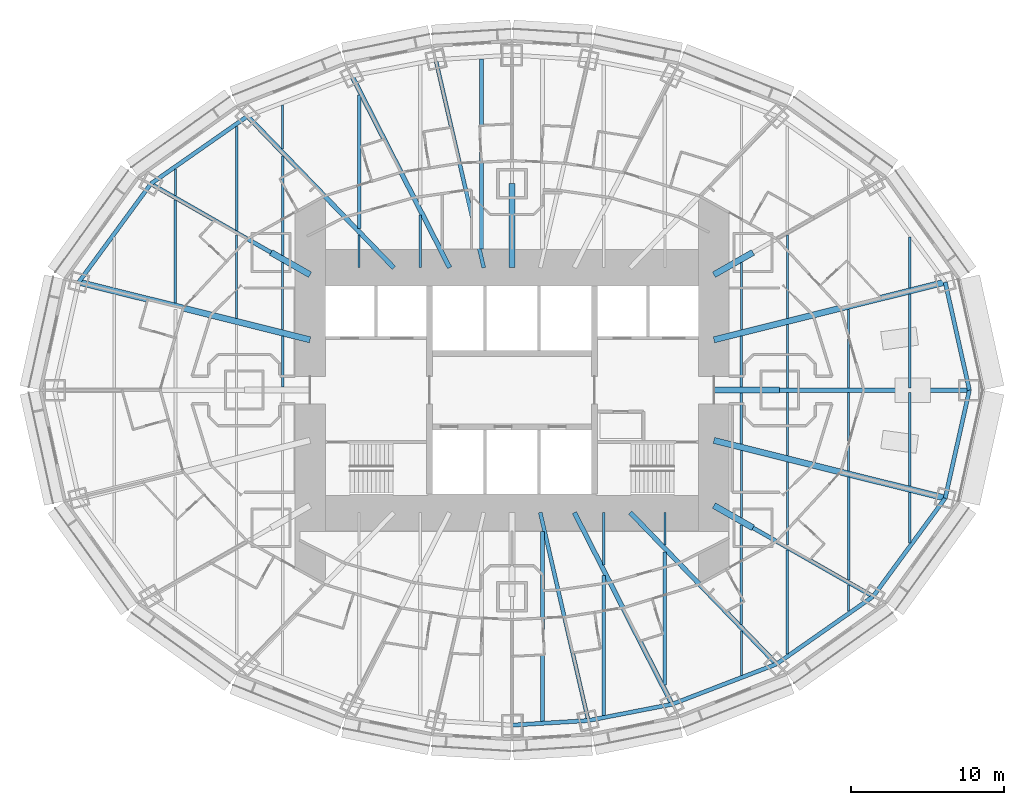
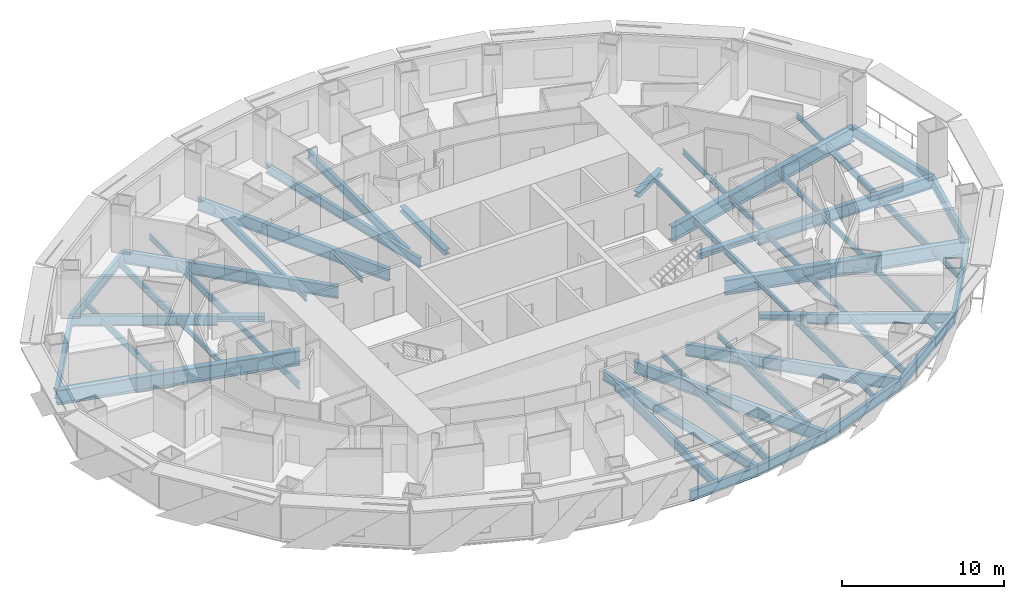
# One storey, part 2 of 17: 62 beams.
"""IFC4 building model written with IfcOpenShell, lengths in metres."""

from ifc_helpers import new_model, si_unit, direction, frame, origin, origin_2d, place, context, subcontext, project, spatial, i_section, extrude, material, material_profile, profile_set, type_object, element, save


model = new_model("IFC4")

# Units and contexts
model_context = context("Model", 3, precision=1e-05, world=origin(), true_north=direction((0.0, 1.0)))
body_context = subcontext(model_context, "Body", "Model", "MODEL_VIEW")
ifc_project = project(units=[si_unit("LENGTHUNIT", "METRE"), si_unit("AREAUNIT", "SQUARE_METRE"), si_unit("VOLUMEUNIT", "CUBIC_METRE"), si_unit("PLANEANGLEUNIT", "RADIAN"), si_unit("MASSUNIT", "GRAM", prefix="KILO")], contexts=[model_context])

# Site, building, storey
site_placement = place(None, origin())
site = spatial("IfcSite", under=ifc_project, at=site_placement, CompositionType="ELEMENT")
building_placement = place(site_placement, origin())
building = spatial("IfcBuilding", under=site, at=building_placement, Name="Lantaw Convention Tower", CompositionType="ELEMENT")
storey_placement = place(building_placement, frame((0.0, 0.0, 69.39990234375)))
storey = spatial("IfcBuildingStorey", under=building, at=storey_placement, Name="L15", CompositionType="ELEMENT", Elevation=69.39990234375)

# Beams
ifc_material = material(Name="Steel ASTM A992", Category="steel")
ifc_material_profile_1 = material_profile(ifc_material, i_section(OverallWidth=0.2666015625, OverallDepth=0.76953125, WebThickness=0.015625, FlangeThickness=0.025390625, FilletRadius=0.0126953125, at=origin_2d()), Name="W30X132")
ifc_profile_set_1 = profile_set([ifc_material_profile_1], Name="Steel ASTM A992")
beam_type_1 = type_object("IfcBeamType", Name="Beam E W30X132", PredefinedType="SPANDREL", material=ifc_profile_set_1)
beam_1_placement = place(storey_placement, frame((29.89990234375, 0.0, -0.53466796875), z_axis=(-0.218652184873, 0.975802860239, 0.0), x_axis=(-0.975802860239, -0.218652184873, 0.0)))
element("IfcBeam", 1, at=beam_1_placement, inside=storey, type_object=beam_type_1, Name="Edge beam 1", PredefinedType="SPANDREL", context=body_context, shape_type="SweptSolid", body=[
    extrude(i_section(OverallWidth=0.2666015625, OverallDepth=0.76953125, WebThickness=0.015625, FlangeThickness=0.025390625, FilletRadius=0.0126953125, at=origin_2d()), origin(), (0.0, 0.0, 1.0), 7.2353515625),
])
beam_2_placement = place(storey_placement, frame((-17.290771484375, 17.9052734375, -0.53466796875), z_axis=(-0.81942686407, -0.57318375277, 0.0), x_axis=(0.57318375277, -0.81942686407, 0.0)))
element("IfcBeam", 2, at=beam_2_placement, inside=storey, type_object=beam_type_1, Name="Edge beam 10", PredefinedType="SPANDREL", context=body_context, shape_type="SweptSolid", body=[
    extrude(i_section(OverallWidth=0.2666015625, OverallDepth=0.76953125, WebThickness=0.015625, FlangeThickness=0.025390625, FilletRadius=0.0126953125, at=origin_2d()), origin(), (0.0, 0.0, 1.0), 7.70556640625),
])
beam_3_placement = place(storey_placement, frame((-23.60498046875, 13.488525390625, -0.53466796875), z_axis=(-0.591270709086, -0.806473154281, 0.0), x_axis=(0.806473154281, -0.591270709086, 0.0)))
element("IfcBeam", 3, at=beam_3_placement, inside=storey, type_object=beam_type_1, Name="Edge beam 11", PredefinedType="SPANDREL", context=body_context, shape_type="SweptSolid", body=[
    extrude(i_section(OverallWidth=0.2666015625, OverallDepth=0.76953125, WebThickness=0.015625, FlangeThickness=0.025390625, FilletRadius=0.0126953125, at=origin_2d()), origin(), (0.0, 0.0, 1.0), 7.970703125),
])
beam_4_placement = place(storey_placement, frame((0.0, -21.89990234375, -0.53466796875), z_axis=(0.998173858406, 0.060406526096, 0.0), x_axis=(-0.060406526096, 0.998173858406, 0.0)))
element("IfcBeam", 4, at=beam_4_placement, inside=storey, type_object=beam_type_1, Name="Edge beam 19", PredefinedType="SPANDREL", context=body_context, shape_type="SweptSolid", body=[
    extrude(i_section(OverallWidth=0.2666015625, OverallDepth=0.76953125, WebThickness=0.015625, FlangeThickness=0.025390625, FilletRadius=0.0126953125, at=origin_2d()), origin(), (0.0, 0.0, 1.0), 4.995361328125),
])
beam_5_placement = place(storey_placement, frame((4.986328125, -21.59814453125, -0.53466796875), z_axis=(0.981636565323, 0.190760723474, 0.0), x_axis=(-0.190760723474, 0.981636565323, 0.0)))
element("IfcBeam", 5, at=beam_5_placement, inside=storey, type_object=beam_type_1, Name="Edge beam 20", PredefinedType="SPANDREL", context=body_context, shape_type="SweptSolid", body=[
    extrude(i_section(OverallWidth=0.2666015625, OverallDepth=0.76953125, WebThickness=0.015625, FlangeThickness=0.025390625, FilletRadius=0.0126953125, at=origin_2d()), origin(), (0.0, 0.0, 1.0), 5.578857421875),
])
beam_6_placement = place(storey_placement, frame((10.462646484375, -20.533935546875, -0.53466796875), z_axis=(0.933232900641, 0.359271976588, 0.0), x_axis=(-0.359271976588, 0.933232900641, 0.0)))
element("IfcBeam", 6, at=beam_6_placement, inside=storey, type_object=beam_type_1, Name="Edge beam 21", PredefinedType="SPANDREL", context=body_context, shape_type="SweptSolid", body=[
    extrude(i_section(OverallWidth=0.2666015625, OverallDepth=0.76953125, WebThickness=0.015625, FlangeThickness=0.025390625, FilletRadius=0.0126953125, at=origin_2d()), origin(), (0.0, 0.0, 1.0), 7.316650390625),
])
beam_7_placement = place(storey_placement, frame((17.290771484375, -17.9052734375, -0.53466796875), z_axis=(0.81942686407, 0.57318375277, 0.0), x_axis=(-0.57318375277, 0.81942686407, 0.0)))
element("IfcBeam", 7, at=beam_7_placement, inside=storey, type_object=beam_type_1, Name="Edge beam 22", PredefinedType="SPANDREL", context=body_context, shape_type="SweptSolid", body=[
    extrude(i_section(OverallWidth=0.2666015625, OverallDepth=0.76953125, WebThickness=0.015625, FlangeThickness=0.025390625, FilletRadius=0.0126953125, at=origin_2d()), origin(), (0.0, 0.0, 1.0), 7.70556640625),
])
beam_8_placement = place(storey_placement, frame((23.60498046875, -13.488525390625, -0.53466796875), z_axis=(0.591270709086, 0.806473154281, 0.0), x_axis=(-0.806473154281, 0.591270709086, 0.0)))
element("IfcBeam", 8, at=beam_8_placement, inside=storey, type_object=beam_type_1, Name="Edge beam 23", PredefinedType="SPANDREL", context=body_context, shape_type="SweptSolid", body=[
    extrude(i_section(OverallWidth=0.2666015625, OverallDepth=0.76953125, WebThickness=0.015625, FlangeThickness=0.025390625, FilletRadius=0.0126953125, at=origin_2d()), origin(), (0.0, 0.0, 1.0), 7.970703125),
])
beam_9_placement = place(storey_placement, frame((28.31787109375, -7.060302734375, -0.53466796875), z_axis=(0.218652184873, 0.975802860239, 0.0), x_axis=(-0.975802860239, 0.218652184873, 0.0)))
element("IfcBeam", 9, at=beam_9_placement, inside=storey, type_object=beam_type_1, Name="Edge beam 24", PredefinedType="SPANDREL", context=body_context, shape_type="SweptSolid", body=[
    extrude(i_section(OverallWidth=0.2666015625, OverallDepth=0.76953125, WebThickness=0.015625, FlangeThickness=0.025390625, FilletRadius=0.0126953125, at=origin_2d()), origin(), (0.0, 0.0, 1.0), 7.2353515625),
])
ifc_material_profile_2 = material_profile(ifc_material, i_section(OverallWidth=0.25390625, OverallDepth=0.683349609375, WebThickness=0.012451171875, FlangeThickness=0.01904296875, FilletRadius=0.01513671875, at=origin_2d()), Name="W27X94")
ifc_profile_set_2 = profile_set([ifc_material_profile_2], Name="Steel ASTM A992")
beam_type_2 = type_object("IfcBeamType", Name="Beam G W27X94", PredefinedType="BEAM", material=ifc_profile_set_2)
for number, where, z_axis, x_axis, name in (
    (10, (-1.846923828125, 8.0, -0.491455078125), (-0.224952773175, 0.97436966796, 0.0), (-0.97436966796, -0.224952773175, 0.0), "Floor girder on ray 8"),
    (11, (1.846923828125, -8.0, -0.491455078125), (0.224952773175, -0.97436966796, 0.0), (0.97436966796, 0.224952773175, 0.0), "Floor girder on ray 20"),
):
    element("IfcBeam", number, at=place(storey_placement, frame(where, z_axis=z_axis, x_axis=x_axis)), inside=storey, type_object=beam_type_2, Name=name, PredefinedType="BEAM", context=body_context, shape_type="SweptSolid", body=[
        extrude(i_section(OverallWidth=0.25390625, OverallDepth=0.683349609375, WebThickness=0.012451171875, FlangeThickness=0.01904296875, FilletRadius=0.01513671875, at=origin_2d()), origin(), (0.0, 0.0, 1.0), 13.955810546875),
    ])
ifc_material_profile_3 = material_profile(ifc_material, i_section(OverallWidth=0.2666015625, OverallDepth=0.7568359375, WebThickness=0.013916015625, FlangeThickness=0.019287109375, FilletRadius=0.0126953125, at=origin_2d()), Name="W30X108")
ifc_profile_set_3 = profile_set([ifc_material_profile_3], Name="Steel ASTM A992")
beam_type_3 = type_object("IfcBeamType", Name="Beam G W30X108", PredefinedType="BEAM", material=ifc_profile_set_3)
for number, where, z_axis, x_axis, name in (
    (12, (-15.75, 9.0, -0.5283203125), (-0.868244802791, 0.496136032179, 0.0), (-0.496136032179, -0.868244802791, 0.0), "Floor girder on ray 11"),
    (13, (15.75, -9.0, -0.5283203125), (0.868244802791, -0.496136032179, 0.0), (0.496136032179, 0.868244802791, 0.0), "Floor girder on ray 23"),
):
    element("IfcBeam", number, at=place(storey_placement, frame(where, z_axis=z_axis, x_axis=x_axis)), inside=storey, type_object=beam_type_3, Name=name, PredefinedType="BEAM", context=body_context, shape_type="SweptSolid", body=[
        extrude(i_section(OverallWidth=0.2666015625, OverallDepth=0.7568359375, WebThickness=0.013916015625, FlangeThickness=0.019287109375, FilletRadius=0.0126953125, at=origin_2d()), origin(), (0.0, 0.0, 1.0), 9.046875),
    ])
ifc_material_profile_4 = material_profile(ifc_material, i_section(OverallWidth=0.307373046875, OverallDepth=0.922119140625, WebThickness=0.018310546875, FlangeThickness=0.030029296875, FilletRadius=0.0126953125, at=origin_2d()), Name="W36X182")
ifc_profile_set_4 = profile_set([ifc_material_profile_4], Name="Steel ASTM A992")
beam_type_4 = type_object("IfcBeamType", Name="Beam G W36X182", PredefinedType="BEAM", material=ifc_profile_set_4)
beam_10_placement = place(storey_placement, frame((17.5, 0.0, -0.61083984375), z_axis=(1.0, 0.0, 0.0), x_axis=(0.0, 1.0, 0.0)))
element("IfcBeam", 14, at=beam_10_placement, inside=storey, type_object=beam_type_4, Name="Floor girder on ray 1", PredefinedType="BEAM", context=body_context, shape_type="SweptSolid", body=[
    extrude(i_section(OverallWidth=0.307373046875, OverallDepth=0.922119140625, WebThickness=0.018310546875, FlangeThickness=0.030029296875, FilletRadius=0.0126953125, at=origin_2d()), origin(), (0.0, 0.0, 1.0), 12.39990234375),
])
beam_11_placement = place(storey_placement, frame((-4.076171875, 8.0, -0.61083984375), z_axis=(-0.453997016122, 0.891003203896, 0.0), x_axis=(-0.891003203896, -0.453997016122, 0.0)))
element("IfcBeam", 15, at=beam_11_placement, inside=storey, type_object=beam_type_4, Name="Floor girder on ray 9", PredefinedType="BEAM", context=body_context, shape_type="SweptSolid", body=[
    extrude(i_section(OverallWidth=0.307373046875, OverallDepth=0.922119140625, WebThickness=0.018310546875, FlangeThickness=0.030029296875, FilletRadius=0.0126953125, at=origin_2d()), origin(), (0.0, 0.0, 1.0), 14.067138671875),
])
beam_12_placement = place(storey_placement, frame((-7.7255859375, 8.0, -0.61083984375), z_axis=(-0.694649884291, 0.719347995239, 0.0), x_axis=(-0.719347995239, -0.694649884291, 0.0)))
element("IfcBeam", 16, at=beam_12_placement, inside=storey, type_object=beam_type_4, Name="Floor girder on ray 10", PredefinedType="BEAM", context=body_context, shape_type="SweptSolid", body=[
    extrude(i_section(OverallWidth=0.307373046875, OverallDepth=0.922119140625, WebThickness=0.018310546875, FlangeThickness=0.030029296875, FilletRadius=0.0126953125, at=origin_2d()), origin(), (0.0, 0.0, 1.0), 13.769775390625),
])
beam_13_placement = place(storey_placement, frame((4.076171875, -8.0, -0.61083984375), z_axis=(0.453997016122, -0.891003203896, 0.0), x_axis=(0.891003203896, 0.453997016122, 0.0)))
element("IfcBeam", 17, at=beam_13_placement, inside=storey, type_object=beam_type_4, Name="Floor girder on ray 21", PredefinedType="BEAM", context=body_context, shape_type="SweptSolid", body=[
    extrude(i_section(OverallWidth=0.307373046875, OverallDepth=0.922119140625, WebThickness=0.018310546875, FlangeThickness=0.030029296875, FilletRadius=0.0126953125, at=origin_2d()), origin(), (0.0, 0.0, 1.0), 14.067138671875),
])
beam_14_placement = place(storey_placement, frame((7.7255859375, -8.0, -0.61083984375), z_axis=(0.694649884291, -0.719347995239, 0.0), x_axis=(0.719347995239, 0.694649884291, 0.0)))
element("IfcBeam", 18, at=beam_14_placement, inside=storey, type_object=beam_type_4, Name="Floor girder on ray 22", PredefinedType="BEAM", context=body_context, shape_type="SweptSolid", body=[
    extrude(i_section(OverallWidth=0.307373046875, OverallDepth=0.922119140625, WebThickness=0.018310546875, FlangeThickness=0.030029296875, FilletRadius=0.0126953125, at=origin_2d()), origin(), (0.0, 0.0, 1.0), 13.769775390625),
])
ifc_material_profile_5 = material_profile(ifc_material, i_section(OverallWidth=0.40380859375, OverallDepth=1.11767578125, WebThickness=0.026123046875, FlangeThickness=0.044921875, FilletRadius=0.02001953125, at=origin_2d()), Name="W44X335")
ifc_profile_set_5 = profile_set([ifc_material_profile_5], Name="Steel ASTM A992")
beam_type_5 = type_object("IfcBeamType", Name="Beam G W44X335", PredefinedType="BEAM", material=ifc_profile_set_5)
for number, where, z_axis, x_axis, name in (
    (19, (13.199951171875, 3.291015625, -0.708740234375), (0.970296233567, 0.241919860957, 0.0), (-0.241919860957, 0.970296233567, 0.0), "Floor girder on ray 2"),
    (20, (-13.199951171875, 3.291015625, -0.708740234375), (-0.970296233567, 0.241919860957, 0.0), (-0.241919860957, -0.970296233567, 0.0), "Floor girder on ray 12"),
    (21, (13.199951171875, -3.291015625, -0.708740234375), (0.970296233567, -0.241919860957, 0.0), (0.241919860957, 0.970296233567, 0.0), "Floor girder on ray 24"),
):
    element("IfcBeam", number, at=place(storey_placement, frame(where, z_axis=z_axis, x_axis=x_axis)), inside=storey, type_object=beam_type_5, Name=name, PredefinedType="BEAM", context=body_context, shape_type="SweptSolid", body=[
        extrude(i_section(OverallWidth=0.40380859375, OverallDepth=1.11767578125, WebThickness=0.026123046875, FlangeThickness=0.044921875, FilletRadius=0.02001953125, at=origin_2d()), origin(), (0.0, 0.0, 1.0), 15.580810546875),
    ])
ifc_material_profile_6 = material_profile(ifc_material, i_section(OverallWidth=0.40380859375, OverallDepth=0.406494140625, WebThickness=0.027099609375, FlangeThickness=0.043701171875, FilletRadius=0.01513671875, at=origin_2d()), Name="W14X233")
ifc_profile_set_6 = profile_set([ifc_material_profile_6], Name="Steel ASTM A992")
beam_type_6 = type_object("IfcBeamType", Name="Beam GM W14X233", PredefinedType="BEAM", material=ifc_profile_set_6)
beam_15_placement = place(storey_placement, frame((13.199951171875, 0.0, -0.35302734375), z_axis=(1.0, 0.0, 0.0), x_axis=(0.0, 1.0, 0.0)))
element("IfcBeam", 22, at=beam_15_placement, inside=storey, type_object=beam_type_6, Name="Core link beam on ray 1", PredefinedType="BEAM", context=body_context, shape_type="SweptSolid", body=[
    extrude(i_section(OverallWidth=0.40380859375, OverallDepth=0.406494140625, WebThickness=0.027099609375, FlangeThickness=0.043701171875, FilletRadius=0.01513671875, at=origin_2d()), origin(), (0.0, 0.0, 1.0), 4.300048828125),
])
beam_16_placement = place(storey_placement, frame((13.199951171875, 7.54296875, -0.35302734375), z_axis=(0.868263603466, 0.496103129295, 0.0), x_axis=(-0.496103129295, 0.868263603466, 0.0)))
element("IfcBeam", 23, at=beam_16_placement, inside=storey, type_object=beam_type_6, Name="Core link beam on ray 3", PredefinedType="BEAM", context=body_context, shape_type="SweptSolid", body=[
    extrude(i_section(OverallWidth=0.40380859375, OverallDepth=0.406494140625, WebThickness=0.027099609375, FlangeThickness=0.043701171875, FilletRadius=0.01513671875, at=origin_2d()), origin(), (0.0, 0.0, 1.0), 2.93701171875),
])
beam_17_placement = place(storey_placement, frame((0.0, 8.0, -0.35302734375), z_axis=(0.0, 1.0, 0.0), x_axis=(-1.0, 0.0, 0.0)))
element("IfcBeam", 24, at=beam_17_placement, inside=storey, type_object=beam_type_6, Name="Core link beam on ray 7", PredefinedType="BEAM", context=body_context, shape_type="SweptSolid", body=[
    extrude(i_section(OverallWidth=0.40380859375, OverallDepth=0.406494140625, WebThickness=0.027099609375, FlangeThickness=0.043701171875, FilletRadius=0.01513671875, at=origin_2d()), origin(), (0.0, 0.0, 1.0), 5.5),
])
for number, where, z_axis, x_axis, name in (
    (25, (-13.199951171875, 7.54296875, -0.35302734375), (-0.868263603466, 0.496103129295, 0.0), (-0.496103129295, -0.868263603466, 0.0), "Core link beam on ray 11"),
    (26, (13.199951171875, -7.54296875, -0.35302734375), (0.868263603466, -0.496103129295, 0.0), (0.496103129295, 0.868263603466, 0.0), "Core link beam on ray 23"),
):
    element("IfcBeam", number, at=place(storey_placement, frame(where, z_axis=z_axis, x_axis=x_axis)), inside=storey, type_object=beam_type_6, Name=name, PredefinedType="BEAM", context=body_context, shape_type="SweptSolid", body=[
        extrude(i_section(OverallWidth=0.40380859375, OverallDepth=0.406494140625, WebThickness=0.027099609375, FlangeThickness=0.043701171875, FilletRadius=0.01513671875, at=origin_2d()), origin(), (0.0, 0.0, 1.0), 2.93701171875),
    ])
ifc_material_profile_7 = material_profile(ifc_material, i_section(OverallWidth=0.140380859375, OverallDepth=0.40380859375, WebThickness=0.007080078125, FlangeThickness=0.01123046875, FilletRadius=0.01025390625, at=origin_2d()), Name="W16X31")
ifc_profile_set_7 = profile_set([ifc_material_profile_7], Name="Steel ASTM A992")
beam_type_7 = type_object("IfcBeamType", Name="Beam J W16X31", PredefinedType="JOIST", material=ifc_profile_set_7)
beam_18_placement = place(storey_placement, frame((-22.0, 12.72509765625, -0.351806640625), z_axis=(0.0, 1.0, 0.0), x_axis=(-1.0, 0.0, 0.0)))
element("IfcBeam", 27, at=beam_18_placement, inside=storey, type_object=beam_type_7, Name="Floor joist", PredefinedType="JOIST", context=body_context, shape_type="SweptSolid", body=[
    extrude(i_section(OverallWidth=0.140380859375, OverallDepth=0.40380859375, WebThickness=0.007080078125, FlangeThickness=0.01123046875, FilletRadius=0.01025390625, at=origin_2d()), origin(), (0.0, 0.0, 1.0), 1.723388671875),
])
beam_19_placement = place(storey_placement, frame((-18.0, 4.696044921875, -0.351806640625), z_axis=(0.0, 1.0, 0.0), x_axis=(-1.0, 0.0, 0.0)))
element("IfcBeam", 28, at=beam_19_placement, inside=storey, type_object=beam_type_7, Name="Floor joist", PredefinedType="JOIST", context=body_context, shape_type="SweptSolid", body=[
    extrude(i_section(OverallWidth=0.140380859375, OverallDepth=0.40380859375, WebThickness=0.007080078125, FlangeThickness=0.01123046875, FilletRadius=0.01025390625, at=origin_2d()), origin(), (0.0, 0.0, 1.0), 5.43603515625),
])
beam_20_placement = place(storey_placement, frame((-15.0, 3.947998046875, -0.351806640625), z_axis=(0.0, 1.0, 0.0), x_axis=(-1.0, 0.0, 0.0)))
element("IfcBeam", 29, at=beam_20_placement, inside=storey, type_object=beam_type_7, Name="Floor joist", PredefinedType="JOIST", context=body_context, shape_type="SweptSolid", body=[
    extrude(i_section(OverallWidth=0.140380859375, OverallDepth=0.40380859375, WebThickness=0.007080078125, FlangeThickness=0.01123046875, FilletRadius=0.01025390625, at=origin_2d()), origin(), (0.0, 0.0, 1.0), 4.390869140625),
])
beam_21_placement = place(storey_placement, frame((-15.0, 15.754150390625, -0.351806640625), z_axis=(0.0, 1.0, 0.0), x_axis=(-1.0, 0.0, 0.0)))
element("IfcBeam", 30, at=beam_21_placement, inside=storey, type_object=beam_type_7, Name="Floor joist", PredefinedType="JOIST", context=body_context, shape_type="SweptSolid", body=[
    extrude(i_section(OverallWidth=0.140380859375, OverallDepth=0.40380859375, WebThickness=0.007080078125, FlangeThickness=0.01123046875, FilletRadius=0.01025390625, at=origin_2d()), origin(), (0.0, 0.0, 1.0), 2.89013671875),
])
beam_22_placement = place(storey_placement, frame((-10.0, 8.0, -0.351806640625), z_axis=(0.0, 1.0, 0.0), x_axis=(-1.0, 0.0, 0.0)))
element("IfcBeam", 31, at=beam_22_placement, inside=storey, type_object=beam_type_7, Name="Floor joist", PredefinedType="JOIST", context=body_context, shape_type="SweptSolid", body=[
    extrude(i_section(OverallWidth=0.140380859375, OverallDepth=0.40380859375, WebThickness=0.007080078125, FlangeThickness=0.01123046875, FilletRadius=0.01025390625, at=origin_2d()), origin(), (0.0, 0.0, 1.0), 2.134033203125),
])
for number, where, z_axis, x_axis, name in (
    (32, (-6.0, 8.0, -0.351806640625), (0.0, 1.0, 0.0), (-1.0, 0.0, 0.0), "Floor joist"),
    (33, (6.0, -11.437255859375, -0.351806640625), (0.0, 1.0, 0.0), (-1.0, 0.0, 0.0), "Floor joist"),
):
    element("IfcBeam", number, at=place(storey_placement, frame(where, z_axis=z_axis, x_axis=x_axis)), inside=storey, type_object=beam_type_7, Name=name, PredefinedType="JOIST", context=body_context, shape_type="SweptSolid", body=[
        extrude(i_section(OverallWidth=0.140380859375, OverallDepth=0.40380859375, WebThickness=0.007080078125, FlangeThickness=0.01123046875, FilletRadius=0.01025390625, at=origin_2d()), origin(), (0.0, 0.0, 1.0), 3.437255859375),
    ])
beam_23_placement = place(storey_placement, frame((10.0, -10.134033203125, -0.351806640625), z_axis=(0.0, 1.0, 0.0), x_axis=(-1.0, 0.0, 0.0)))
element("IfcBeam", 34, at=beam_23_placement, inside=storey, type_object=beam_type_7, Name="Floor joist", PredefinedType="JOIST", context=body_context, shape_type="SweptSolid", body=[
    extrude(i_section(OverallWidth=0.140380859375, OverallDepth=0.40380859375, WebThickness=0.007080078125, FlangeThickness=0.01123046875, FilletRadius=0.01025390625, at=origin_2d()), origin(), (0.0, 0.0, 1.0), 2.134033203125),
])
beam_24_placement = place(storey_placement, frame((15.0, -18.644287109375, -0.351806640625), z_axis=(0.0, 1.0, 0.0), x_axis=(-1.0, 0.0, 0.0)))
element("IfcBeam", 35, at=beam_24_placement, inside=storey, type_object=beam_type_7, Name="Floor joist", PredefinedType="JOIST", context=body_context, shape_type="SweptSolid", body=[
    extrude(i_section(OverallWidth=0.140380859375, OverallDepth=0.40380859375, WebThickness=0.007080078125, FlangeThickness=0.01123046875, FilletRadius=0.01025390625, at=origin_2d()), origin(), (0.0, 0.0, 1.0), 2.89013671875),
])
for number, where, z_axis, x_axis, name in (
    (36, (15.0, -8.3388671875, -0.351806640625), (0.0, 1.0, 0.0), (-1.0, 0.0, 0.0), "Floor joist"),
    (37, (15.0, 3.947998046875, -0.351806640625), (0.0, 1.0, 0.0), (-1.0, 0.0, 0.0), "Floor joist"),
):
    element("IfcBeam", number, at=place(storey_placement, frame(where, z_axis=z_axis, x_axis=x_axis)), inside=storey, type_object=beam_type_7, Name=name, PredefinedType="JOIST", context=body_context, shape_type="SweptSolid", body=[
        extrude(i_section(OverallWidth=0.140380859375, OverallDepth=0.40380859375, WebThickness=0.007080078125, FlangeThickness=0.01123046875, FilletRadius=0.01025390625, at=origin_2d()), origin(), (0.0, 0.0, 1.0), 4.390869140625),
    ])
beam_25_placement = place(storey_placement, frame((18.0, -10.132080078125, -0.351806640625), z_axis=(0.0, 1.0, 0.0), x_axis=(-1.0, 0.0, 0.0)))
element("IfcBeam", 38, at=beam_25_placement, inside=storey, type_object=beam_type_7, Name="Floor joist", PredefinedType="JOIST", context=body_context, shape_type="SweptSolid", body=[
    extrude(i_section(OverallWidth=0.140380859375, OverallDepth=0.40380859375, WebThickness=0.007080078125, FlangeThickness=0.01123046875, FilletRadius=0.01025390625, at=origin_2d()), origin(), (0.0, 0.0, 1.0), 5.43603515625),
])
for number, where, z_axis, x_axis, name in (
    (39, (18.0, -4.27978515625, -0.351806640625), (0.0, 1.0, 0.0), (-1.0, 0.0, 0.0), "Floor joist"),
    (40, (18.0, 0.153564453125, -0.351806640625), (0.0, 1.0, 0.0), (-1.0, 0.0, 0.0), "Floor joist"),
):
    element("IfcBeam", number, at=place(storey_placement, frame(where, z_axis=z_axis, x_axis=x_axis)), inside=storey, type_object=beam_type_7, Name=name, PredefinedType="JOIST", context=body_context, shape_type="SweptSolid", body=[
        extrude(i_section(OverallWidth=0.140380859375, OverallDepth=0.40380859375, WebThickness=0.007080078125, FlangeThickness=0.01123046875, FilletRadius=0.01025390625, at=origin_2d()), origin(), (0.0, 0.0, 1.0), 4.126220703125),
    ])
beam_26_placement = place(storey_placement, frame((18.0, 4.696044921875, -0.351806640625), z_axis=(0.0, 1.0, 0.0), x_axis=(-1.0, 0.0, 0.0)))
element("IfcBeam", 41, at=beam_26_placement, inside=storey, type_object=beam_type_7, Name="Floor joist", PredefinedType="JOIST", context=body_context, shape_type="SweptSolid", body=[
    extrude(i_section(OverallWidth=0.140380859375, OverallDepth=0.40380859375, WebThickness=0.007080078125, FlangeThickness=0.01123046875, FilletRadius=0.01025390625, at=origin_2d()), origin(), (0.0, 0.0, 1.0), 5.43603515625),
])
beam_27_placement = place(storey_placement, frame((22.0, -14.448486328125, -0.351806640625), z_axis=(0.0, 1.0, 0.0), x_axis=(-1.0, 0.0, 0.0)))
element("IfcBeam", 42, at=beam_27_placement, inside=storey, type_object=beam_type_7, Name="Floor joist", PredefinedType="JOIST", context=body_context, shape_type="SweptSolid", body=[
    extrude(i_section(OverallWidth=0.140380859375, OverallDepth=0.40380859375, WebThickness=0.007080078125, FlangeThickness=0.01123046875, FilletRadius=0.01025390625, at=origin_2d()), origin(), (0.0, 0.0, 1.0), 1.723388671875),
])
for number, where, z_axis, x_axis, name in (
    (43, (26.0, -9.996337890625, -0.351806640625), (0.0, 1.0, 0.0), (-1.0, 0.0, 0.0), "Floor joist"),
    (44, (26.0, 6.690673828125, -0.351806640625), (0.0, 1.0, 0.0), (-1.0, 0.0, 0.0), "Floor joist"),
):
    element("IfcBeam", number, at=place(storey_placement, frame(where, z_axis=z_axis, x_axis=x_axis)), inside=storey, type_object=beam_type_7, Name=name, PredefinedType="JOIST", context=body_context, shape_type="SweptSolid", body=[
        extrude(i_section(OverallWidth=0.140380859375, OverallDepth=0.40380859375, WebThickness=0.007080078125, FlangeThickness=0.01123046875, FilletRadius=0.01025390625, at=origin_2d()), origin(), (0.0, 0.0, 1.0), 3.3056640625),
    ])
ifc_material_profile_8 = material_profile(ifc_material, i_section(OverallWidth=0.15234375, OverallDepth=0.449462890625, WebThickness=0.007568359375, FlangeThickness=0.0107421875, FilletRadius=0.01025390625, at=origin_2d()), Name="W18X35")
ifc_profile_set_8 = profile_set([ifc_material_profile_8], Name="Steel ASTM A992")
beam_type_8 = type_object("IfcBeamType", Name="Beam J W18X35", PredefinedType="JOIST", material=ifc_profile_set_8)
for number, where, z_axis, x_axis, name in (
    (45, (22.0, -5.277099609375, -0.374755859375), (0.0, 1.0, 0.0), (-1.0, 0.0, 0.0), "Floor joist"),
    (46, (22.0, 0.153564453125, -0.374755859375), (0.0, 1.0, 0.0), (-1.0, 0.0, 0.0), "Floor joist"),
):
    element("IfcBeam", number, at=place(storey_placement, frame(where, z_axis=z_axis, x_axis=x_axis)), inside=storey, type_object=beam_type_8, Name=name, PredefinedType="JOIST", context=body_context, shape_type="SweptSolid", body=[
        extrude(i_section(OverallWidth=0.15234375, OverallDepth=0.449462890625, WebThickness=0.007568359375, FlangeThickness=0.0107421875, FilletRadius=0.01025390625, at=origin_2d()), origin(), (0.0, 0.0, 1.0), 5.12353515625),
    ])
ifc_material_profile_9 = material_profile(ifc_material, i_section(OverallWidth=0.1650390625, OverallDepth=0.52587890625, WebThickness=0.0087890625, FlangeThickness=0.011474609375, FilletRadius=0.0126953125, at=origin_2d()), Name="W21X44")
ifc_profile_set_9 = profile_set([ifc_material_profile_9], Name="Steel ASTM A992")
beam_type_9 = type_object("IfcBeamType", Name="Beam J W21X44", PredefinedType="JOIST", material=ifc_profile_set_9)
beam_28_placement = place(storey_placement, frame((-22.0, 5.693359375, -0.412841796875), z_axis=(0.0, 1.0, 0.0), x_axis=(-1.0, 0.0, 0.0)))
element("IfcBeam", 47, at=beam_28_placement, inside=storey, type_object=beam_type_9, Name="Floor joist", PredefinedType="JOIST", context=body_context, shape_type="SweptSolid", body=[
    extrude(i_section(OverallWidth=0.1650390625, OverallDepth=0.52587890625, WebThickness=0.0087890625, FlangeThickness=0.011474609375, FilletRadius=0.0126953125, at=origin_2d()), origin(), (0.0, 0.0, 1.0), 6.724609375),
])
beam_29_placement = place(storey_placement, frame((-18.0, 10.439208984375, -0.412841796875), z_axis=(0.0, 1.0, 0.0), x_axis=(-1.0, 0.0, 0.0)))
element("IfcBeam", 48, at=beam_29_placement, inside=storey, type_object=beam_type_9, Name="Floor joist", PredefinedType="JOIST", context=body_context, shape_type="SweptSolid", body=[
    extrude(i_section(OverallWidth=0.1650390625, OverallDepth=0.52587890625, WebThickness=0.0087890625, FlangeThickness=0.011474609375, FilletRadius=0.0126953125, at=origin_2d()), origin(), (0.0, 0.0, 1.0), 6.80712890625),
])
for number, where, z_axis, x_axis, name in (
    (49, (-15.0, 8.803955078125, -0.412841796875), (0.0, 1.0, 0.0), (-1.0, 0.0, 0.0), "Floor joist"),
    (50, (15.0, -15.311767578125, -0.412841796875), (0.0, 1.0, 0.0), (-1.0, 0.0, 0.0), "Floor joist"),
):
    element("IfcBeam", number, at=place(storey_placement, frame(where, z_axis=z_axis, x_axis=x_axis)), inside=storey, type_object=beam_type_9, Name=name, PredefinedType="JOIST", context=body_context, shape_type="SweptSolid", body=[
        extrude(i_section(OverallWidth=0.1650390625, OverallDepth=0.52587890625, WebThickness=0.0087890625, FlangeThickness=0.011474609375, FilletRadius=0.0126953125, at=origin_2d()), origin(), (0.0, 0.0, 1.0), 6.5078125),
    ])
beam_30_placement = place(storey_placement, frame((18.0, -17.246337890625, -0.412841796875), z_axis=(0.0, 1.0, 0.0), x_axis=(-1.0, 0.0, 0.0)))
element("IfcBeam", 51, at=beam_30_placement, inside=storey, type_object=beam_type_9, Name="Floor joist", PredefinedType="JOIST", context=body_context, shape_type="SweptSolid", body=[
    extrude(i_section(OverallWidth=0.1650390625, OverallDepth=0.52587890625, WebThickness=0.0087890625, FlangeThickness=0.011474609375, FilletRadius=0.0126953125, at=origin_2d()), origin(), (0.0, 0.0, 1.0), 6.80712890625),
])
beam_31_placement = place(storey_placement, frame((22.0, -12.41796875, -0.412841796875), z_axis=(0.0, 1.0, 0.0), x_axis=(-1.0, 0.0, 0.0)))
element("IfcBeam", 52, at=beam_31_placement, inside=storey, type_object=beam_type_9, Name="Floor joist", PredefinedType="JOIST", context=body_context, shape_type="SweptSolid", body=[
    extrude(i_section(OverallWidth=0.1650390625, OverallDepth=0.52587890625, WebThickness=0.0087890625, FlangeThickness=0.011474609375, FilletRadius=0.0126953125, at=origin_2d()), origin(), (0.0, 0.0, 1.0), 6.724609375),
])
ifc_material_profile_10 = material_profile(ifc_material, i_section(OverallWidth=0.165771484375, OverallDepth=0.5283203125, WebThickness=0.009765625, FlangeThickness=0.013671875, FilletRadius=0.012939453125, at=origin_2d()), Name="W21X50")
ifc_profile_set_10 = profile_set([ifc_material_profile_10], Name="Steel ASTM A992")
beam_type_10 = type_object("IfcBeamType", Name="Beam J W21X50", PredefinedType="JOIST", material=ifc_profile_set_10)
for number, where, z_axis, x_axis, name in (
    (53, (-15.0, 0.201904296875, -0.4140625), (0.0, 1.0, 0.0), (-1.0, 0.0, 0.0), "Floor joist"),
    (54, (15.0, -3.53173828125, -0.4140625), (0.0, 1.0, 0.0), (-1.0, 0.0, 0.0), "Floor joist"),
    (55, (15.0, 0.201904296875, -0.4140625), (0.0, 1.0, 0.0), (-1.0, 0.0, 0.0), "Floor joist"),
):
    element("IfcBeam", number, at=place(storey_placement, frame(where, z_axis=z_axis, x_axis=x_axis)), inside=storey, type_object=beam_type_10, Name=name, PredefinedType="JOIST", context=body_context, shape_type="SweptSolid", body=[
        extrude(i_section(OverallWidth=0.165771484375, OverallDepth=0.5283203125, WebThickness=0.009765625, FlangeThickness=0.013671875, FilletRadius=0.012939453125, at=origin_2d()), origin(), (0.0, 0.0, 1.0), 3.329833984375),
    ])
for number, where, z_axis, x_axis, name in (
    (56, (26.0, -6.2744140625, -0.4140625), (0.0, 1.0, 0.0), (-1.0, 0.0, 0.0), "Floor joist"),
    (57, (26.0, 0.153564453125, -0.4140625), (0.0, 1.0, 0.0), (-1.0, 0.0, 0.0), "Floor joist"),
):
    element("IfcBeam", number, at=place(storey_placement, frame(where, z_axis=z_axis, x_axis=x_axis)), inside=storey, type_object=beam_type_10, Name=name, PredefinedType="JOIST", context=body_context, shape_type="SweptSolid", body=[
        extrude(i_section(OverallWidth=0.165771484375, OverallDepth=0.5283203125, WebThickness=0.009765625, FlangeThickness=0.013671875, FilletRadius=0.012939453125, at=origin_2d()), origin(), (0.0, 0.0, 1.0), 6.120849609375),
    ])
ifc_material_profile_11 = material_profile(ifc_material, i_section(OverallWidth=0.2099609375, OverallDepth=0.535888671875, WebThickness=0.010986328125, FlangeThickness=0.017333984375, FilletRadius=0.012939453125, at=origin_2d()), Name="W21X68")
ifc_profile_set_11 = profile_set([ifc_material_profile_11], Name="Steel ASTM A992")
beam_type_11 = type_object("IfcBeamType", Name="Beam J W21X68", PredefinedType="JOIST", material=ifc_profile_set_11)
beam_32_placement = place(storey_placement, frame((6.0, -21.26513671875, -0.41796875), z_axis=(0.0, 1.0, 0.0), x_axis=(-1.0, 0.0, 0.0)))
element("IfcBeam", 58, at=beam_32_placement, inside=storey, type_object=beam_type_11, Name="Floor joist", PredefinedType="JOIST", context=body_context, shape_type="SweptSolid", body=[
    extrude(i_section(OverallWidth=0.2099609375, OverallDepth=0.535888671875, WebThickness=0.010986328125, FlangeThickness=0.017333984375, FilletRadius=0.012939453125, at=origin_2d()), origin(), (0.0, 0.0, 1.0), 9.15087890625),
])
ifc_material_profile_12 = material_profile(ifc_material, i_section(OverallWidth=0.227783203125, OverallDepth=0.60205078125, WebThickness=0.010498046875, FlangeThickness=0.014892578125, FilletRadius=0.012939453125, at=origin_2d()), Name="W24X68")
ifc_profile_set_12 = profile_set([ifc_material_profile_12], Name="Steel ASTM A992")
beam_type_12 = type_object("IfcBeamType", Name="Beam J W24X68", PredefinedType="JOIST", material=ifc_profile_set_12)
for number, where, z_axis, x_axis, name in (
    (59, (-10.0, 10.576416015625, -0.450927734375), (0.0, 1.0, 0.0), (-1.0, 0.0, 0.0), "Floor joist"),
    (60, (10.0, -19.28759765625, -0.450927734375), (0.0, 1.0, 0.0), (-1.0, 0.0, 0.0), "Floor joist"),
):
    element("IfcBeam", number, at=place(storey_placement, frame(where, z_axis=z_axis, x_axis=x_axis)), inside=storey, type_object=beam_type_12, Name=name, PredefinedType="JOIST", context=body_context, shape_type="SweptSolid", body=[
        extrude(i_section(OverallWidth=0.227783203125, OverallDepth=0.60205078125, WebThickness=0.010498046875, FlangeThickness=0.014892578125, FilletRadius=0.012939453125, at=origin_2d()), origin(), (0.0, 0.0, 1.0), 8.711181640625),
    ])
ifc_material_profile_13 = material_profile(ifc_material, i_section(OverallWidth=0.25390625, OverallDepth=0.700927734375, WebThickness=0.015380859375, FlangeThickness=0.02783203125, FilletRadius=0.01513671875, at=origin_2d()), Name="W27X129")
ifc_profile_set_13 = profile_set([ifc_material_profile_13], Name="Steel ASTM A992")
beam_type_13 = type_object("IfcBeamType", Name="Beam J W27X129", PredefinedType="JOIST", material=ifc_profile_set_13)
for number, where, z_axis, x_axis, name in (
    (61, (-2.0, 9.2275390625, -0.50048828125), (0.0, 1.0, 0.0), (-1.0, 0.0, 0.0), "Floor joist"),
    (62, (2.0, -21.645263671875, -0.50048828125), (0.0, 1.0, 0.0), (-1.0, 0.0, 0.0), "Floor joist"),
):
    element("IfcBeam", number, at=place(storey_placement, frame(where, z_axis=z_axis, x_axis=x_axis)), inside=storey, type_object=beam_type_13, Name=name, PredefinedType="JOIST", context=body_context, shape_type="SweptSolid", body=[
        extrude(i_section(OverallWidth=0.25390625, OverallDepth=0.700927734375, WebThickness=0.015380859375, FlangeThickness=0.02783203125, FilletRadius=0.01513671875, at=origin_2d()), origin(), (0.0, 0.0, 1.0), 12.417724609375),
    ])

save(model, "model.ifc")
